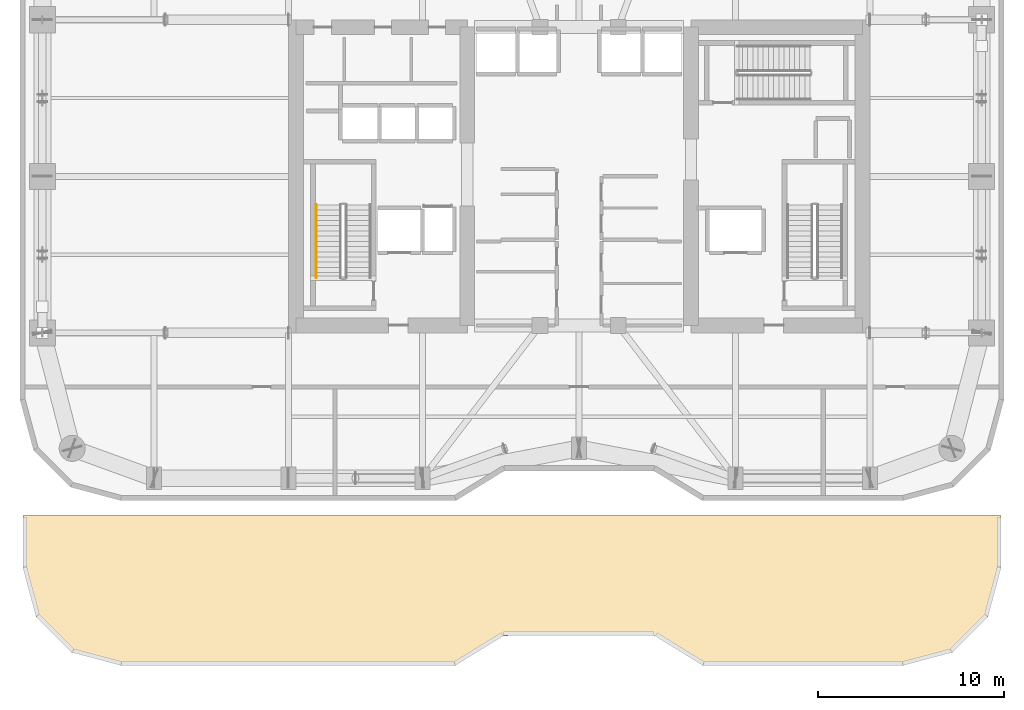
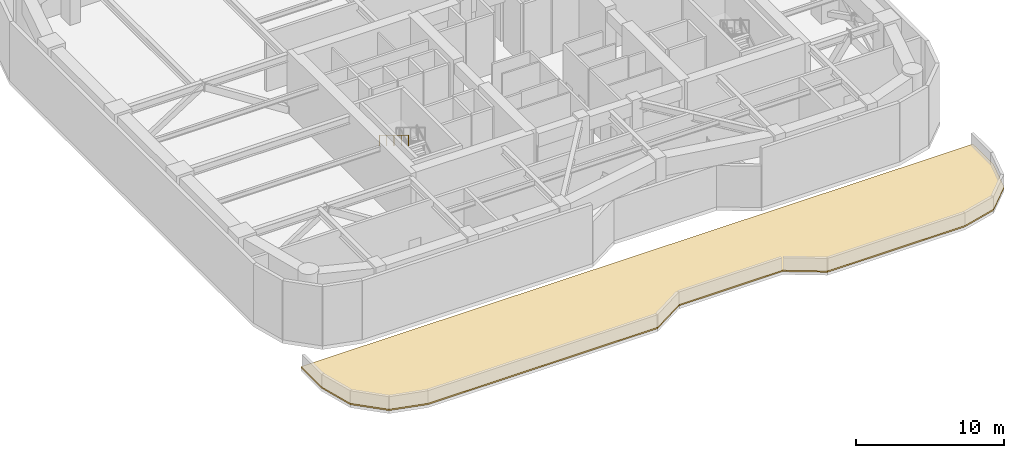
# One storey, part 15 of 16: 1 covering, 1 railing.
"""IFC4 building model written with IfcOpenShell, lengths in metres."""

from ifc_helpers import new_model, si_unit, direction, frame, origin, origin_2d, place, context, subcontext, project, spatial, polyline, rectangle, outline, extrude, material, layer, layer_set, type_object, element, save


model = new_model("IFC4")

# Units and contexts
model_context = context("Model", 3, precision=1e-05, world=origin(), true_north=direction((0.0, 1.0)))
body_context = subcontext(model_context, "Body", "Model", "MODEL_VIEW")
ifc_project = project(units=[si_unit("LENGTHUNIT", "METRE"), si_unit("AREAUNIT", "SQUARE_METRE"), si_unit("VOLUMEUNIT", "CUBIC_METRE"), si_unit("PLANEANGLEUNIT", "RADIAN"), si_unit("MASSUNIT", "GRAM", prefix="KILO")], contexts=[model_context])

# Site, building, storey
site_placement = place(None, origin())
site = spatial("IfcSite", under=ifc_project, at=site_placement, CompositionType="ELEMENT")
building_placement = place(site_placement, origin())
building = spatial("IfcBuilding", under=site, at=building_placement, Name="Kiyonajd Concourse Tower", CompositionType="ELEMENT")
storey_placement = place(building_placement, frame((0.0, 0.0, 145.5)))
storey = spatial("IfcBuildingStorey", under=building, at=storey_placement, Name="L37", CompositionType="ELEMENT", Elevation=145.5)

# Covering
ifc_material_1 = material(Name="Engineered Hinoki Wood-Effect Architectural Tile", Category="wood")
ifc_layer = layer(ifc_material_1, 0.1201171875)
ifc_layer_set = layer_set([ifc_layer], Name="Engineered Hinoki Wood-Effect Architectural Tile")
covering_type = type_object("IfcCoveringType", Name="CV-ROOF-MEMB", PredefinedType="ROOFING", material=ifc_layer_set)
covering_placement = place(storey_placement, origin())
element("IfcCovering", 1, at=covering_placement, inside=storey, type_object=covering_type, Name="L37 Setback Roof Membrane", PredefinedType="ROOFING", context=body_context, shape_type="SweptSolid", body=[
    extrude(outline(polyline([(70.64990234375, 15.02001953125), (69.943115234375, 12.3779296875), (68.02197265625, 10.45703125), (65.3798828125, 9.75), (54.64208984375, 9.75), (52.0791015625, 11.327880859375), (52.041015625, 11.343994140625), (52.0, 11.35009765625), (43.972900390625, 11.346923828125), (43.9208984375, 11.327880859375), (41.35791015625, 9.75), (23.419921875, 9.75), (20.778076171875, 10.45703125), (18.85693359375, 12.3779296875), (18.14990234375, 15.02001953125), (18.14990234375, 17.800048828125), (70.64990234375, 17.800048828125), (70.64990234375, 15.02001953125)])), origin(), (0.0, 0.0, 1.0), 0.1201171875),
])

# Railing
ifc_material_2 = material(Name="Brushed Stainless Steel Cab Assembly", Category="steel")
railing_type = type_object("IfcRailingType", Name="RL-HND-900", PredefinedType="HANDRAIL", material=ifc_material_2)
railing_placement = place(storey_placement, frame((33.89990234375, 34.469970703125, 2.719970703125)))
element("IfcRailing", 2, at=railing_placement, inside=storey, type_object=railing_type, Name="L37 ST1 stair handrail 2", PredefinedType="HANDRAIL", context=body_context, shape_type="SweptSolid", body=[
    extrude(rectangle(XDim=0.048095703125, YDim=0.048095703125, at=origin_2d()), frame((0.0, 0.0, 0.8759765625), z_axis=(0.0, -0.854770645689, 0.519005918337), x_axis=(1.0, 0.0, 0.0)), (0.0, 0.0, 1.0), 4.5859375),
    extrude(rectangle(XDim=0.0419921875, YDim=0.0419921875, at=origin_2d()), origin(), (0.0, 0.0, 1.0), 0.851806640625),
    extrude(rectangle(XDim=0.0419921875, YDim=0.0419921875, at=origin_2d()), frame((0.0, -0.97998046875, 0.594970703125)), (0.0, 0.0, 1.0), 0.851806640625),
    extrude(rectangle(XDim=0.0419921875, YDim=0.0419921875, at=origin_2d()), frame((0.0, -1.9599609375, 1.18994140625)), (0.0, 0.0, 1.0), 0.851806640625),
    extrude(rectangle(XDim=0.0419921875, YDim=0.0419921875, at=origin_2d()), frame((0.0, -2.93994140625, 1.78515625)), (0.0, 0.0, 1.0), 0.851806640625),
    extrude(rectangle(XDim=0.0419921875, YDim=0.0419921875, at=origin_2d()), frame((0.0, -3.919921875, 2.380126953125)), (0.0, 0.0, 1.0), 0.851806640625),
])

save(model, "model.ifc")
